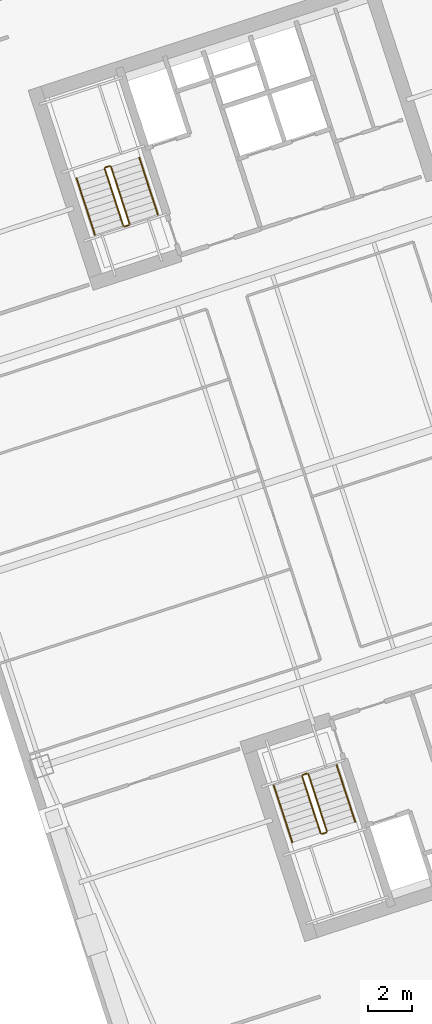
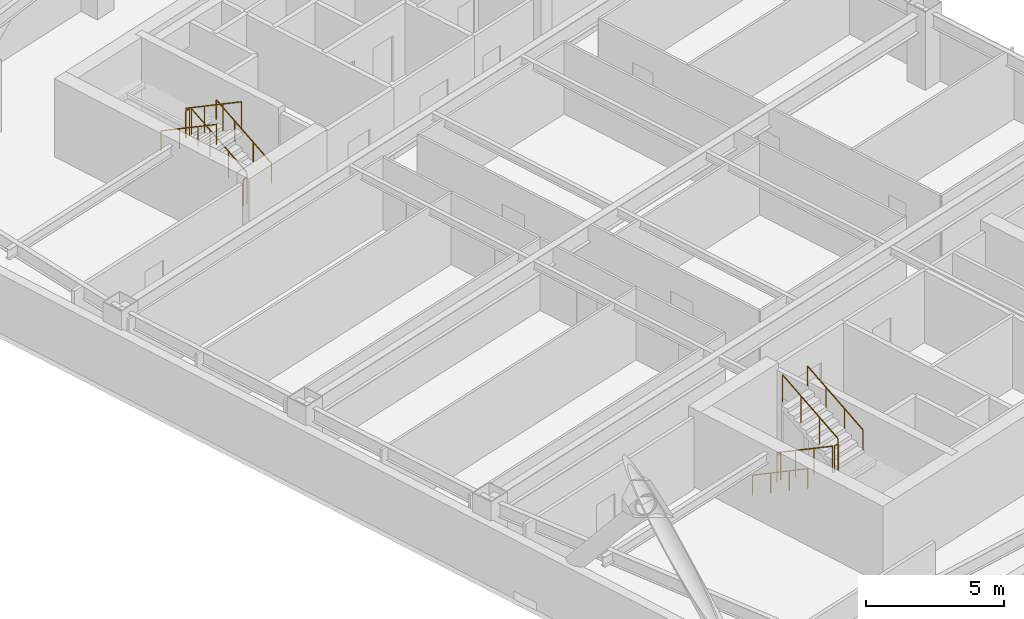
# One storey, part 12 of 12: 12 railings.
"""IFC4 building model written with IfcOpenShell, lengths in metres."""

from ifc_helpers import new_model, si_unit, direction, frame, origin, origin_2d, place, context, subcontext, project, spatial, circle, extrude, material, type_object, element, save


model = new_model("IFC4")

# Units and contexts
model_context = context("Model", 3, precision=1e-05, world=origin(), true_north=direction((0.0, 1.0)))
body_context = subcontext(model_context, "Body", "Model", "MODEL_VIEW")
ifc_project = project(units=[si_unit("LENGTHUNIT", "METRE"), si_unit("AREAUNIT", "SQUARE_METRE"), si_unit("VOLUMEUNIT", "CUBIC_METRE"), si_unit("PLANEANGLEUNIT", "RADIAN"), si_unit("MASSUNIT", "GRAM", prefix="KILO")], contexts=[model_context])

# Site, building, storey
site_placement = place(None, origin())
site = spatial("IfcSite", under=ifc_project, at=site_placement, CompositionType="ELEMENT")
building_placement = place(site_placement, origin())
building = spatial("IfcBuilding", under=site, at=building_placement, Name="Qiaolan Cultural Towers", CompositionType="ELEMENT")
storey_placement = place(building_placement, frame((0.0, 0.0, 106.949951171875)))
storey = spatial("IfcBuildingStorey", under=building, at=storey_placement, Name="L27", CompositionType="ELEMENT", Elevation=106.949951171875)

# Railings
ifc_material_1 = material(Name="Galvanized Painted Steel Stair Guardrail", Category="steel")
railing_type_1 = type_object("IfcRailingType", Name="RL-STAIR-GRD", PredefinedType="GUARDRAIL", material=ifc_material_1)
railing_1_placement = place(storey_placement, frame((88.60205078125, 19.82421875, 0.172607421875)))
element("IfcRailing", 1, at=railing_1_placement, inside=storey, type_object=railing_type_1, Name="L27 ST-E1 stair guard 1", PredefinedType="GUARDRAIL", context=body_context, shape_type="SweptSolid", body=[
    extrude(circle(Radius=0.02392578125, at=origin_2d()), frame((0.0, 0.0, 1.17578125), z_axis=(0.267925668498, -0.824471088726, 0.498460891159), x_axis=(0.951043371037, 0.309057448393, 0.0)), (0.0, 0.0, 1.0), 3.114501953125),
    extrude(circle(Radius=0.02099609375, at=origin_2d()), origin(), (0.0, 0.0, 1.0), 1.15185546875),
    extrude(circle(Radius=0.02099609375, at=origin_2d()), frame((0.278076171875, -0.85595703125, 0.517578125)), (0.0, 0.0, 1.0), 1.15185546875),
    extrude(circle(Radius=0.02099609375, at=origin_2d()), frame((0.556396484375, -1.7119140625, 1.034912109375)), (0.0, 0.0, 1.0), 1.15185546875),
    extrude(circle(Radius=0.02099609375, at=origin_2d()), frame((0.83447265625, -2.56787109375, 1.552490234375)), (0.0, 0.0, 1.0), 1.15185546875),
])
railing_2_placement = place(storey_placement, frame((89.49951171875, 17.224365234375, 1.72509765625)))
element("IfcRailing", 2, at=railing_2_placement, inside=storey, type_object=railing_type_1, Name="L27 ST-E1 stair guard 2", PredefinedType="GUARDRAIL", context=body_context, shape_type="SweptSolid", body=[
    extrude(circle(Radius=0.02392578125, at=origin_2d()), frame((0.0, 0.0, 1.17578125), z_axis=(0.951096855055, 0.308892816854, 0.0), x_axis=(-0.308892816854, 0.951096855055, 0.0)), (0.0, 0.0, 1.0), 0.199951171875),
    extrude(circle(Radius=0.02099609375, at=origin_2d()), origin(), (0.0, 0.0, 1.0), 1.15185546875),
    extrude(circle(Radius=0.02099609375, at=origin_2d()), frame((0.190185546875, 0.061767578125, 0.0)), (0.0, 0.0, 1.0), 1.15185546875),
])
railing_3_placement = place(storey_placement, frame((89.721923828125, 17.34912109375, 1.8974609375)))
element("IfcRailing", 3, at=railing_3_placement, inside=storey, type_object=railing_type_1, Name="L27 ST-E1 stair guard 3", PredefinedType="GUARDRAIL", context=body_context, shape_type="SweptSolid", body=[
    extrude(circle(Radius=0.02392578125, at=origin_2d()), frame((0.0, 0.0, 1.17578125), z_axis=(-0.267925668498, 0.824471088726, 0.498460891159), x_axis=(-0.951043371037, -0.309057448393, 0.0)), (0.0, 0.0, 1.0), 3.114501953125),
    extrude(circle(Radius=0.02099609375, at=origin_2d()), origin(), (0.0, 0.0, 1.0), 1.15185546875),
    extrude(circle(Radius=0.02099609375, at=origin_2d()), frame((-0.278076171875, 0.85595703125, 0.517578125)), (0.0, 0.0, 1.0), 1.15185546875),
    extrude(circle(Radius=0.02099609375, at=origin_2d()), frame((-0.556396484375, 1.7119140625, 1.034912109375)), (0.0, 0.0, 1.0), 1.15185546875),
    extrude(circle(Radius=0.02099609375, at=origin_2d()), frame((-0.83447265625, 2.56787109375, 1.552490234375)), (0.0, 0.0, 1.0), 1.15185546875),
])
railing_4_placement = place(storey_placement, frame((88.63427734375, 19.88720703125, 0.0)))
element("IfcRailing", 4, at=railing_4_placement, inside=storey, type_object=railing_type_1, Name="L27 ST-E1 stair guard 4", PredefinedType="GUARDRAIL", context=body_context, shape_type="SweptSolid", body=[
    extrude(circle(Radius=0.02392578125, at=origin_2d()), frame((0.0, 0.0, 1.17578125), z_axis=(0.951096855055, 0.308892816854, 0.0), x_axis=(-0.308892816854, 0.951096855055, 0.0)), (0.0, 0.0, 1.0), 0.199951171875),
    extrude(circle(Radius=0.02099609375, at=origin_2d()), origin(), (0.0, 0.0, 1.0), 1.15185546875),
    extrude(circle(Radius=0.02099609375, at=origin_2d()), frame((0.190185546875, 0.061767578125, 0.0)), (0.0, 0.0, 1.0), 1.15185546875),
])
railing_5_placement = place(storey_placement, frame((80.822021484375, 44.739501953125, 0.172607421875)))
element("IfcRailing", 5, at=railing_5_placement, inside=storey, type_object=railing_type_1, Name="L27 ST-E2 stair guard 1", PredefinedType="GUARDRAIL", context=body_context, shape_type="SweptSolid", body=[
    extrude(circle(Radius=0.02392578125, at=origin_2d()), frame((0.0, 0.0, 1.17578125), z_axis=(-0.26785290645, 0.824488402118, 0.498471358535), x_axis=(-0.951069945308, -0.308975661068, 0.0)), (0.0, 0.0, 1.0), 3.114501953125),
    extrude(circle(Radius=0.02099609375, at=origin_2d()), origin(), (0.0, 0.0, 1.0), 1.15185546875),
    extrude(circle(Radius=0.02099609375, at=origin_2d()), frame((-0.278076171875, 0.85595703125, 0.517578125)), (0.0, 0.0, 1.0), 1.15185546875),
    extrude(circle(Radius=0.02099609375, at=origin_2d()), frame((-0.55615234375, 1.7119140625, 1.034912109375)), (0.0, 0.0, 1.0), 1.15185546875),
    extrude(circle(Radius=0.02099609375, at=origin_2d()), frame((-0.834228515625, 2.56787109375, 1.552490234375)), (0.0, 0.0, 1.0), 1.15185546875),
])
railing_6_placement = place(storey_placement, frame((79.9248046875, 47.33935546875, 1.72509765625)))
element("IfcRailing", 6, at=railing_6_placement, inside=storey, type_object=railing_type_1, Name="L27 ST-E2 stair guard 2", PredefinedType="GUARDRAIL", context=body_context, shape_type="SweptSolid", body=[
    extrude(circle(Radius=0.02392578125, at=origin_2d()), frame((0.0, 0.0, 1.17578125), z_axis=(-0.951096855055, -0.308892816854, 0.0), x_axis=(0.308892816854, -0.951096855055, 0.0)), (0.0, 0.0, 1.0), 0.199951171875),
    extrude(circle(Radius=0.02099609375, at=origin_2d()), origin(), (0.0, 0.0, 1.0), 1.15185546875),
    extrude(circle(Radius=0.02099609375, at=origin_2d()), frame((-0.190185546875, -0.061767578125, 0.0)), (0.0, 0.0, 1.0), 1.15185546875),
])
railing_7_placement = place(storey_placement, frame((79.702392578125, 47.214599609375, 1.8974609375)))
element("IfcRailing", 7, at=railing_7_placement, inside=storey, type_object=railing_type_1, Name="L27 ST-E2 stair guard 3", PredefinedType="GUARDRAIL", context=body_context, shape_type="SweptSolid", body=[
    extrude(circle(Radius=0.02392578125, at=origin_2d()), frame((0.0, 0.0, 1.17578125), z_axis=(0.267925668498, -0.824471088726, 0.498460891159), x_axis=(0.951043371037, 0.309057448393, 0.0)), (0.0, 0.0, 1.0), 3.114501953125),
    extrude(circle(Radius=0.02099609375, at=origin_2d()), origin(), (0.0, 0.0, 1.0), 1.15185546875),
    extrude(circle(Radius=0.02099609375, at=origin_2d()), frame((0.278076171875, -0.85595703125, 0.517578125)), (0.0, 0.0, 1.0), 1.15185546875),
    extrude(circle(Radius=0.02099609375, at=origin_2d()), frame((0.556396484375, -1.7119140625, 1.034912109375)), (0.0, 0.0, 1.0), 1.15185546875),
    extrude(circle(Radius=0.02099609375, at=origin_2d()), frame((0.83447265625, -2.56787109375, 1.552490234375)), (0.0, 0.0, 1.0), 1.15185546875),
])
railing_8_placement = place(storey_placement, frame((80.7900390625, 44.676513671875, 0.0)))
element("IfcRailing", 8, at=railing_8_placement, inside=storey, type_object=railing_type_1, Name="L27 ST-E2 stair guard 4", PredefinedType="GUARDRAIL", context=body_context, shape_type="SweptSolid", body=[
    extrude(circle(Radius=0.02392578125, at=origin_2d()), frame((0.0, 0.0, 1.17578125), z_axis=(-0.951096855055, -0.308892816854, 0.0), x_axis=(0.308892816854, -0.951096855055, 0.0)), (0.0, 0.0, 1.0), 0.199951171875),
    extrude(circle(Radius=0.02099609375, at=origin_2d()), origin(), (0.0, 0.0, 1.0), 1.15185546875),
    extrude(circle(Radius=0.02099609375, at=origin_2d()), frame((-0.190185546875, -0.061767578125, 0.0)), (0.0, 0.0, 1.0), 1.15185546875),
])
ifc_material_2 = material(Name="Stainless Steel S30408 Tubular Handrail", Category="steel")
railing_type_2 = type_object("IfcRailingType", Name="RL-STAIR-HR", PredefinedType="HANDRAIL", material=ifc_material_2)
railing_9_placement = place(storey_placement, frame((87.32763671875, 19.41015625, 0.172607421875)))
element("IfcRailing", 9, at=railing_9_placement, inside=storey, type_object=railing_type_2, Name="L27 ST-E1 stair handrail 1", PredefinedType="HANDRAIL", context=body_context, shape_type="SweptSolid", body=[
    extrude(circle(Radius=0.02392578125, at=origin_2d()), frame((0.0, 0.0, 0.8759765625), z_axis=(0.267925668498, -0.824471088726, 0.498460891159), x_axis=(0.951043371037, 0.309057448393, 0.0)), (0.0, 0.0, 1.0), 3.114501953125),
    extrude(circle(Radius=0.02099609375, at=origin_2d()), origin(), (0.0, 0.0, 1.0), 0.851806640625),
    extrude(circle(Radius=0.02099609375, at=origin_2d()), frame((0.278076171875, -0.85595703125, 0.517578125)), (0.0, 0.0, 1.0), 0.851806640625),
    extrude(circle(Radius=0.02099609375, at=origin_2d()), frame((0.556396484375, -1.7119140625, 1.034912109375)), (0.0, 0.0, 1.0), 0.851806640625),
    extrude(circle(Radius=0.02099609375, at=origin_2d()), frame((0.83447265625, -2.56787109375, 1.552490234375)), (0.0, 0.0, 1.0), 0.851806640625),
])
railing_10_placement = place(storey_placement, frame((90.996337890625, 17.76318359375, 1.8974609375)))
element("IfcRailing", 10, at=railing_10_placement, inside=storey, type_object=railing_type_2, Name="L27 ST-E1 stair handrail 2", PredefinedType="HANDRAIL", context=body_context, shape_type="SweptSolid", body=[
    extrude(circle(Radius=0.02392578125, at=origin_2d()), frame((0.0, 0.0, 0.8759765625), z_axis=(-0.267925668498, 0.824471088726, 0.498460891159), x_axis=(-0.951043371037, -0.309057448393, 0.0)), (0.0, 0.0, 1.0), 3.114501953125),
    extrude(circle(Radius=0.02099609375, at=origin_2d()), origin(), (0.0, 0.0, 1.0), 0.851806640625),
    extrude(circle(Radius=0.02099609375, at=origin_2d()), frame((-0.278076171875, 0.85595703125, 0.517578125)), (0.0, 0.0, 1.0), 0.851806640625),
    extrude(circle(Radius=0.02099609375, at=origin_2d()), frame((-0.556396484375, 1.7119140625, 1.034912109375)), (0.0, 0.0, 1.0), 0.851806640625),
    extrude(circle(Radius=0.02099609375, at=origin_2d()), frame((-0.83447265625, 2.56787109375, 1.552490234375)), (0.0, 0.0, 1.0), 0.851806640625),
])
railing_11_placement = place(storey_placement, frame((82.096435546875, 45.153564453125, 0.172607421875)))
element("IfcRailing", 11, at=railing_11_placement, inside=storey, type_object=railing_type_2, Name="L27 ST-E2 stair handrail 1", PredefinedType="HANDRAIL", context=body_context, shape_type="SweptSolid", body=[
    extrude(circle(Radius=0.02392578125, at=origin_2d()), frame((0.0, 0.0, 0.8759765625), z_axis=(-0.26785290645, 0.824488402118, 0.498471358535), x_axis=(-0.951069945308, -0.308975661068, 0.0)), (0.0, 0.0, 1.0), 3.114501953125),
    extrude(circle(Radius=0.02099609375, at=origin_2d()), origin(), (0.0, 0.0, 1.0), 0.851806640625),
    extrude(circle(Radius=0.02099609375, at=origin_2d()), frame((-0.278076171875, 0.85595703125, 0.517578125)), (0.0, 0.0, 1.0), 0.851806640625),
    extrude(circle(Radius=0.02099609375, at=origin_2d()), frame((-0.55615234375, 1.7119140625, 1.034912109375)), (0.0, 0.0, 1.0), 0.851806640625),
    extrude(circle(Radius=0.02099609375, at=origin_2d()), frame((-0.834228515625, 2.56787109375, 1.552490234375)), (0.0, 0.0, 1.0), 0.851806640625),
])
railing_12_placement = place(storey_placement, frame((78.427978515625, 46.800537109375, 1.8974609375)))
element("IfcRailing", 12, at=railing_12_placement, inside=storey, type_object=railing_type_2, Name="L27 ST-E2 stair handrail 2", PredefinedType="HANDRAIL", context=body_context, shape_type="SweptSolid", body=[
    extrude(circle(Radius=0.02392578125, at=origin_2d()), frame((0.0, 0.0, 0.8759765625), z_axis=(0.267925668498, -0.824471088726, 0.498460891159), x_axis=(0.951043371037, 0.309057448393, 0.0)), (0.0, 0.0, 1.0), 3.114501953125),
    extrude(circle(Radius=0.02099609375, at=origin_2d()), origin(), (0.0, 0.0, 1.0), 0.851806640625),
    extrude(circle(Radius=0.02099609375, at=origin_2d()), frame((0.278076171875, -0.85595703125, 0.517578125)), (0.0, 0.0, 1.0), 0.851806640625),
    extrude(circle(Radius=0.02099609375, at=origin_2d()), frame((0.556396484375, -1.7119140625, 1.034912109375)), (0.0, 0.0, 1.0), 0.851806640625),
    extrude(circle(Radius=0.02099609375, at=origin_2d()), frame((0.83447265625, -2.56787109375, 1.552490234375)), (0.0, 0.0, 1.0), 0.851806640625),
])

save(model, "model.ifc")
